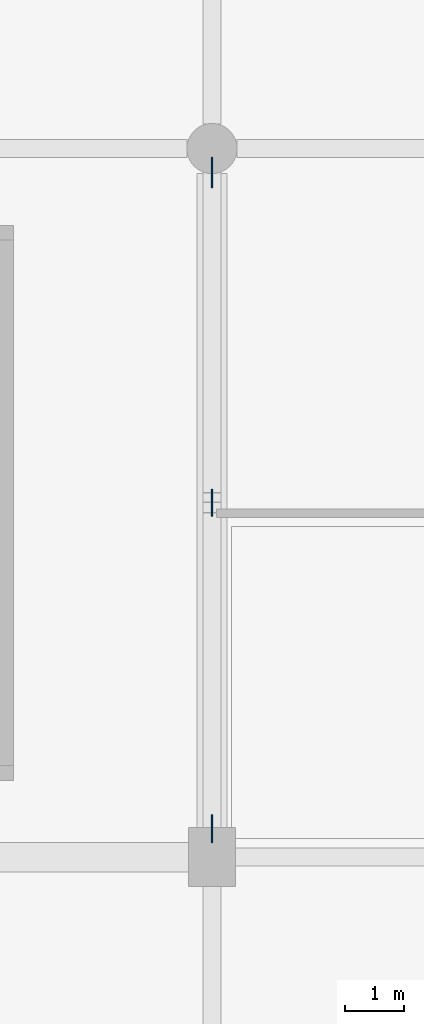
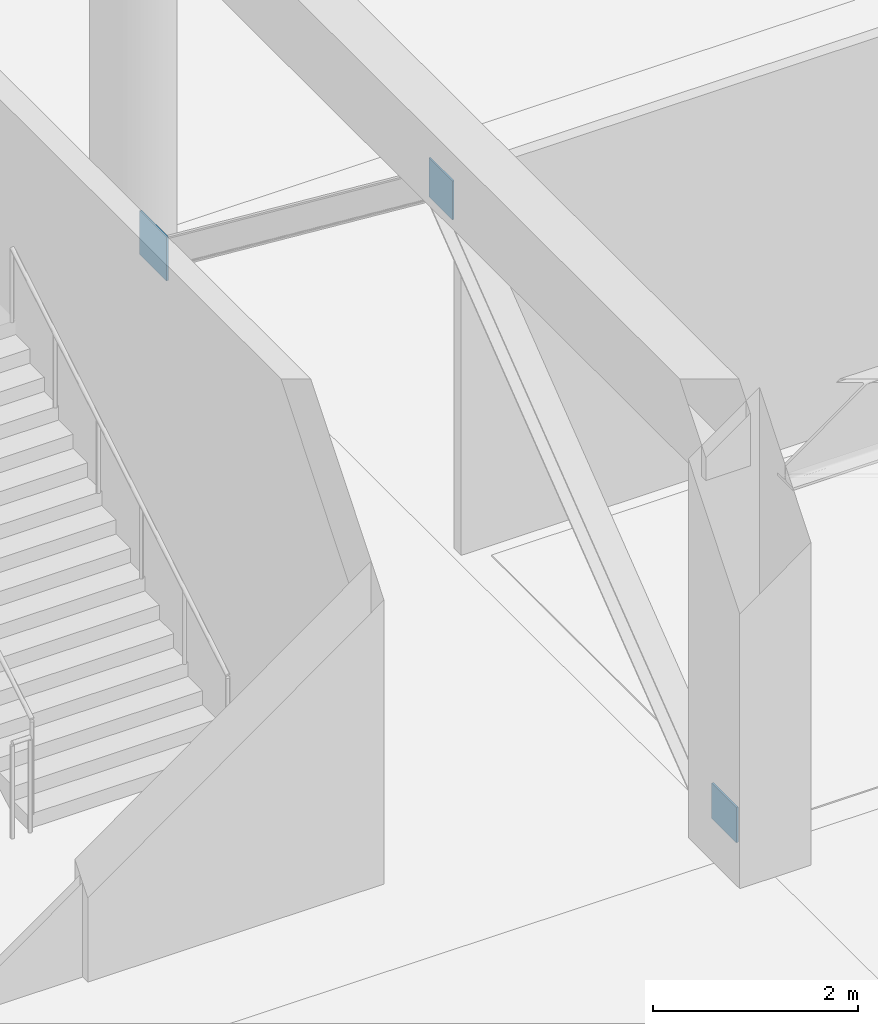
# One storey, part 12 of 69: 3 plates.
"""IFC4 building model written with IfcOpenShell, lengths in metres."""

from ifc_helpers import new_model, si_unit, direction, frame, origin, origin_2d, place, context, subcontext, project, spatial, rectangle, extrude, material, layer, layer_set, type_object, element, save


model = new_model("IFC4")

# Units and contexts
model_context = context("Model", 3, precision=1e-05, world=origin(), true_north=direction((0.0, 1.0)))
body_context = subcontext(model_context, "Body", "Model", "MODEL_VIEW")
ifc_project = project(units=[si_unit("LENGTHUNIT", "METRE"), si_unit("AREAUNIT", "SQUARE_METRE"), si_unit("VOLUMEUNIT", "CUBIC_METRE"), si_unit("PLANEANGLEUNIT", "RADIAN"), si_unit("MASSUNIT", "GRAM", prefix="KILO")], contexts=[model_context])

# Site, building, storey
site_placement = place(None, origin())
site = spatial("IfcSite", under=ifc_project, at=site_placement, CompositionType="ELEMENT")
building_placement = place(site_placement, origin())
building = spatial("IfcBuilding", under=site, at=building_placement, Name="Kazenohara Klinker Stadium", CompositionType="ELEMENT")
storey_placement = place(building_placement, origin())
storey = spatial("IfcBuildingStorey", under=building, at=storey_placement, Name="L00", CompositionType="ELEMENT", Elevation=0.0)

# Plates
ifc_material = material(Name="Steel S355", Category="steel")
ifc_layer_1 = layer(ifc_material, 0.02001953125)
ifc_layer_set_1 = layer_set([ifc_layer_1], Name="Steel S355")
plate_type_1 = type_object("IfcPlateType", Name="PLT-GP01", PredefinedType="USERDEFINED", material=ifc_layer_set_1)
plate_1_placement = place(storey_placement, frame((24.0, 54.0, 4.010009765625), z_axis=(0.0, 0.0, 1.0), x_axis=(1.0, 0.0, 0.0)))
element("IfcPlate", 1, at=plate_1_placement, inside=storey, type_object=plate_type_1, Name="Chevron brace gusset plate GP01 L00 3/E TOP", ObjectType="GUSSET PLATE", PredefinedType="USERDEFINED", context=body_context, shape_type="SweptSolid", body=[
    extrude(rectangle(XDim=0.02001953125, YDim=0.4599609375, at=origin_2d()), origin(), (0.0, 0.0, 1.0), 0.4599609375),
])
ifc_layer_2 = layer(ifc_material, 0.02197265625)
ifc_layer_set_2 = layer_set([ifc_layer_2], Name="Steel S355")
plate_type_2 = type_object("IfcPlateType", Name="PLT-GP02", PredefinedType="USERDEFINED", material=ifc_layer_set_2)
plate_2_placement = place(storey_placement, frame((24.0, 48.47998046875, -0.0400390625), z_axis=(0.0, 0.0, 1.0), x_axis=(1.0, 0.0, 0.0)))
element("IfcPlate", 2, at=plate_2_placement, inside=storey, type_object=plate_type_2, Name="Chevron brace gusset plate GP02 L00 3/E BOT-A", ObjectType="GUSSET PLATE", PredefinedType="USERDEFINED", context=body_context, shape_type="SweptSolid", body=[
    extrude(rectangle(XDim=0.02197265625, YDim=0.47998046875, at=origin_2d()), origin(), (0.0, 0.0, 1.0), 0.419921875),
])
ifc_layer_3 = layer(ifc_material, 0.02392578125)
ifc_layer_set_3 = layer_set([ifc_layer_3], Name="Steel S355")
plate_type_3 = type_object("IfcPlateType", Name="PLT-GP03", PredefinedType="USERDEFINED", material=ifc_layer_set_3)
plate_3_placement = place(storey_placement, frame((24.0, 59.594970703125, -0.090087890625), z_axis=(0.0, 0.0, 1.0), x_axis=(1.0, 0.0, 0.0)))
element("IfcPlate", 3, at=plate_3_placement, inside=storey, type_object=plate_type_3, Name="Chevron brace gusset plate GP03 L00 3/E BOT-B", ObjectType="GUSSET PLATE", PredefinedType="USERDEFINED", context=body_context, shape_type="SweptSolid", body=[
    extrude(rectangle(XDim=0.02392578125, YDim=0.52001953125, at=origin_2d()), origin(), (0.0, 0.0, 1.0), 0.52001953125),
])

save(model, "model.ifc")
